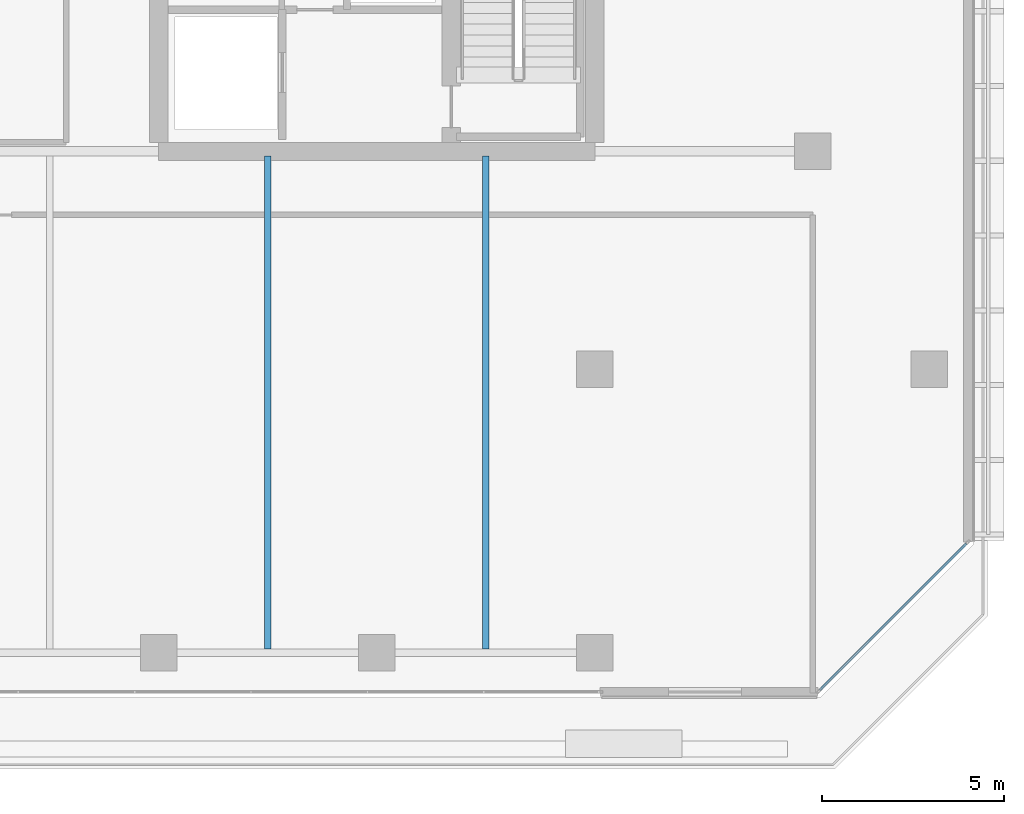
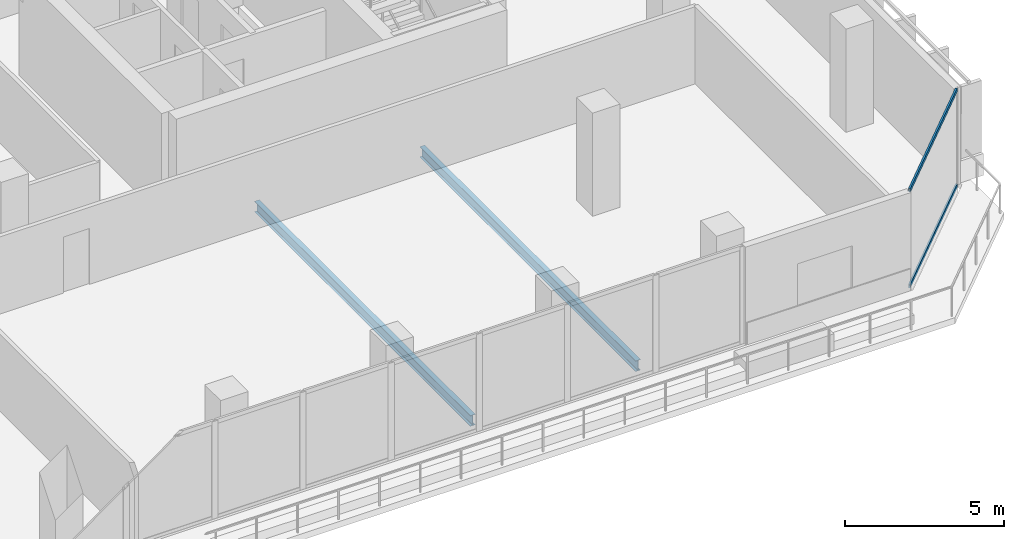
# One storey, part 21 of 38: 2 beams, 2 members, 1 element without a shape of its own.
"""IFC4 building model written with IfcOpenShell, lengths in metres."""

from ifc_helpers import new_model, si_unit, direction, frame, origin, origin_2d, place, context, subcontext, project, spatial, hollow_rectangle, i_section, extrude, material, layer, layer_set, material_profile, profile_set, type_object, element, aggregate, save


model = new_model("IFC4")

# Units and contexts
model_context = context("Model", 3, precision=1e-05, world=origin(), true_north=direction((0.0, 1.0)))
body_context = subcontext(model_context, "Body", "Model", "MODEL_VIEW")
ifc_project = project(units=[si_unit("LENGTHUNIT", "METRE"), si_unit("AREAUNIT", "SQUARE_METRE"), si_unit("VOLUMEUNIT", "CUBIC_METRE"), si_unit("PLANEANGLEUNIT", "RADIAN"), si_unit("MASSUNIT", "GRAM", prefix="KILO")], contexts=[model_context])

# Site, building, storey
site_placement = place(None, origin())
site = spatial("IfcSite", under=ifc_project, at=site_placement, CompositionType="ELEMENT")
building_placement = place(site_placement, origin())
building = spatial("IfcBuilding", under=site, at=building_placement, Name="Tanjung Sevakor Pilgrim Tower", CompositionType="ELEMENT")
storey_placement = place(building_placement, frame((0.0, 0.0, 78.2099609375)))
storey = spatial("IfcBuildingStorey", under=building, at=storey_placement, Name="L21", CompositionType="ELEMENT", Elevation=78.2099609375)

# Beams
ifc_material_1 = material(Name="Steel S355J2", Category="steel")
ifc_material_profile_1 = material_profile(ifc_material_1, i_section(OverallWidth=0.1787109375, OverallDepth=0.409423828125, WebThickness=0.0087890625, FlangeThickness=0.014404296875, FilletRadius=0.01025390625, at=origin_2d()))
ifc_profile_set_1 = profile_set([ifc_material_profile_1], Name="Steel S355J2")
beam_type = type_object("IfcBeamType", Name="BM-B-J3-UB_406x178x67", PredefinedType="JOIST", material=ifc_profile_set_1)
for number, where, z_axis, x_axis, name in (
    (1, (81.0, 10.89990234375, -0.484619140625), (0.0, 1.0, 0.0), (-1.0, 0.0, 0.0), "L21 MAIN Joist 021"),
    (2, (87.0, 10.89990234375, -0.484619140625), (0.0, 1.0, 0.0), (-1.0, 0.0, 0.0), "L21 MAIN Joist 023"),
):
    element("IfcBeam", number, at=place(storey_placement, frame(where, z_axis=z_axis, x_axis=x_axis)), inside=storey, type_object=beam_type, Name=name, PredefinedType="JOIST", context=body_context, shape_type="SweptSolid", body=[
        extrude(i_section(OverallWidth=0.1787109375, OverallDepth=0.409423828125, WebThickness=0.0087890625, FlangeThickness=0.014404296875, FilletRadius=0.01025390625, at=origin_2d()), origin(), (0.0, 0.0, 1.0), 13.57275390625),
    ])

# Curtain wall, members
ifc_material_2 = material(Name="Aluminium 6063-T6 and Low-E Glass", Category="aluminium")
ifc_layer = layer(ifc_material_2, 0.179931640625)
ifc_layer_set = layer_set([ifc_layer], Name="CW-SYS-CHAM")
curtain_wall_type = type_object("IfcCurtainWallType", Name="CW-SYS-CHAM", PredefinedType="NOTDEFINED", material=ifc_layer_set)
curtain_wall_placement = place(storey_placement, origin())
curtain_wall = element("IfcCurtainWall", 3, at=curtain_wall_placement, inside=storey, type_object=curtain_wall_type, Name="L21 Curtain Wall CW-CHM-L21-MAIN-5", PredefinedType="NOTDEFINED")
ifc_material_3 = material(Name="Aluminium 6063-T6", Category="aluminium")
ifc_material_profile_2 = material_profile(ifc_material_3, hollow_rectangle(XDim=0.06494140625, YDim=0.139892578125, WallThickness=0.00390625, at=origin_2d()))
ifc_profile_set_2 = profile_set([ifc_material_profile_2], Name="Aluminium 6063-T6")
member_type = type_object("IfcMemberType", Name="TYPE-CWT-1", PredefinedType="USERDEFINED", material=ifc_profile_set_2)
member_1_placement = place(storey_placement, frame((96.194091796875, 9.77099609375, 0.032470703125), z_axis=(0.707106781187, 0.707106781187, 0.0), x_axis=(-0.707106781187, 0.707106781187, 0.0)))
member_1 = element("IfcMember", 4, at=member_1_placement, type_object=member_type, Name="CW-CHM transom 1.1", ObjectType="TRANSOM", PredefinedType="USERDEFINED", context=body_context, shape_type="SweptSolid", body=[
    extrude(hollow_rectangle(XDim=0.06494140625, YDim=0.139892578125, WallThickness=0.00390625, at=origin_2d()), origin(), (0.0, 0.0, 1.0), 5.706298828125),
])
member_2_placement = place(storey_placement, frame((96.194091796875, 9.77099609375, 3.70751953125), z_axis=(0.707106781187, 0.707106781187, 0.0), x_axis=(-0.707106781187, 0.707106781187, 0.0)))
member_2 = element("IfcMember", 5, at=member_2_placement, type_object=member_type, Name="CW-CHM transom 1.2", ObjectType="TRANSOM", PredefinedType="USERDEFINED", context=body_context, shape_type="SweptSolid", body=[
    extrude(hollow_rectangle(XDim=0.06494140625, YDim=0.139892578125, WallThickness=0.00390625, at=origin_2d()), origin(), (0.0, 0.0, 1.0), 5.706298828125),
])
aggregate(curtain_wall, [member_1, member_2])

save(model, "model.ifc")
